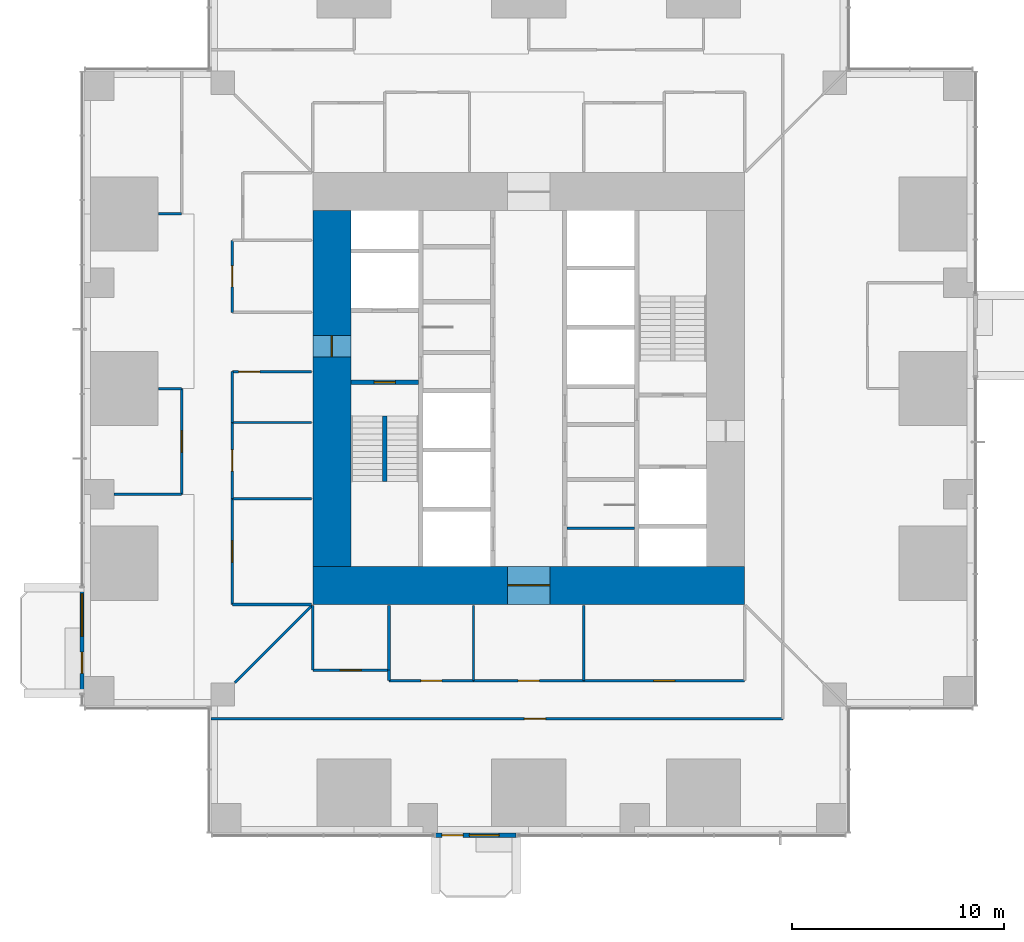
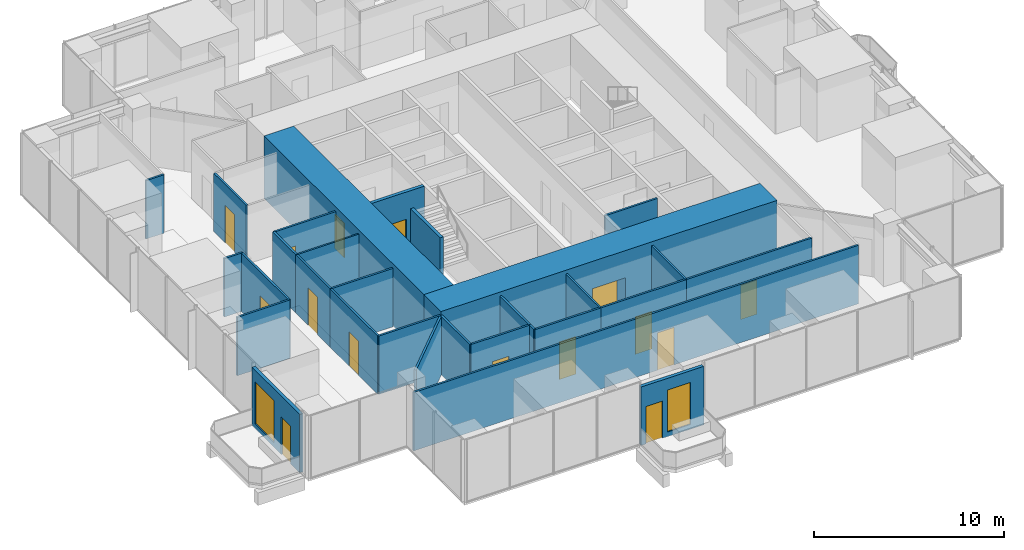
# One storey, part 11 of 17: 30 walls, 15 doors, 2 windows, 17 openings.
"""IFC4 building model written with IfcOpenShell, lengths in metres."""

from ifc_helpers import new_model, si_unit, direction, frame, frame_2d, origin, place, context, subcontext, project, spatial, rectangle, extrude, material, layer, layer_set, type_object, element, fill, save


model = new_model("IFC4")

# Units and contexts
model_context = context("Model", 3, precision=1e-05, world=origin(), true_north=direction((0.0, 1.0)))
body_context = subcontext(model_context, "Body", "Model", "MODEL_VIEW")
ifc_project = project(units=[si_unit("LENGTHUNIT", "METRE"), si_unit("AREAUNIT", "SQUARE_METRE"), si_unit("VOLUMEUNIT", "CUBIC_METRE"), si_unit("PLANEANGLEUNIT", "RADIAN"), si_unit("MASSUNIT", "GRAM", prefix="KILO")], contexts=[model_context])

# Site, building, storey
site_placement = place(None, origin())
site = spatial("IfcSite", under=ifc_project, at=site_placement, CompositionType="ELEMENT")
building_placement = place(site_placement, origin())
building = spatial("IfcBuilding", under=site, at=building_placement, Name="Svetlomir Tower", CompositionType="ELEMENT")
storey_placement = place(building_placement, frame((0.0, 0.0, 38.5)))
storey = spatial("IfcBuildingStorey", under=building, at=storey_placement, Name="L08", CompositionType="ELEMENT", Elevation=38.5)

# Wall, openings, door, window
ifc_material_1 = material(Name="Bronze anodised aluminium glazed screen", Category="aluminium")
ifc_layer_1 = layer(ifc_material_1, 0.199951171875)
ifc_layer_set_1 = layer_set([ifc_layer_1], Name="Bronze anodised aluminium glazed screen")
wall_type_1 = type_object("IfcWallType", Name="BALCONY SCREEN WALL 200", PredefinedType="USERDEFINED", material=ifc_layer_set_1)
wall_1_placement = place(storey_placement, frame((16.60009765625, -0.10009765625, 0.0), z_axis=(0.0, 0.0, 1.0), x_axis=(1.0, 0.0, 0.0)))
wall_1 = element("IfcWall", 1, at=wall_1_placement, inside=storey, type_object=wall_type_1, Name="Balcony screen S", ObjectType="GLAZED SCREEN", PredefinedType="USERDEFINED", context=body_context, shape_type="SweptSolid", body=[
    extrude(rectangle(XDim=3.7998046875, YDim=0.199951171875, at=frame_2d((1.89990234375, 0.0))), origin(), (0.0, 0.0, 1.0), 3.75),
])
opening_1_placement = place(wall_1_placement, frame((0.300048828125, 0.0, 0.0)))
opening_1 = element("IfcOpeningElement", 2, at=opening_1_placement, cuts=wall_1, Name="Opening BD", PredefinedType="OPENING", context=body_context, shape_type="SweptSolid", body=[
    extrude(rectangle(XDim=1.0, YDim=2.39990234375, at=frame_2d((0.5, 1.199951171875))), frame((0.0, 0.10986328125, 0.0), z_axis=(0.0, -1.0, 0.0), x_axis=(1.0, 0.0, 0.0)), (0.0, 0.0, 1.0), 0.219970703125),
])
opening_2_placement = place(wall_1_placement, frame((1.60009765625, 0.0, 0.300048828125)))
opening_2 = element("IfcOpeningElement", 3, at=opening_2_placement, cuts=wall_1, Name="Opening WS2", PredefinedType="OPENING", context=body_context, shape_type="SweptSolid", body=[
    extrude(rectangle(XDim=1.39990234375, YDim=2.699951171875, at=frame_2d((0.699951171875, 1.35009765625))), frame((0.0, 0.10986328125, 0.0), z_axis=(0.0, -1.0, 0.0), x_axis=(1.0, 0.0, 0.0)), (0.0, 0.0, 1.0), 0.219970703125),
])
ifc_material_2 = material(Name="Bronze anodised aluminium glazed door", Category="aluminium")
door_type_1 = type_object("IfcDoorType", Name="BALCONY DOOR BD 1000x2400", OperationType="SINGLE_SWING_LEFT", PredefinedType="DOOR", material=ifc_material_2)
door_1_placement = place(opening_1_placement, origin())
door_1 = element("IfcDoor", 4, at=door_1_placement, inside=storey, type_object=door_type_1, Name="Balcony screen S door", OperationType="SINGLE_SWING_LEFT", OverallHeight=2.39990234375, OverallWidth=1.0, PredefinedType="DOOR", context=body_context, shape_type="SweptSolid", body=[
    extrude(rectangle(XDim=1.0, YDim=2.39990234375, at=frame_2d((0.5, 1.199951171875))), frame((0.0, 0.02490234375, 0.0), z_axis=(0.0, -1.0, 0.0), x_axis=(1.0, 0.0, 0.0)), (0.0, 0.0, 1.0), 0.050048828125),
])
fill(opening_1, door_1)
ifc_material_3 = material(Name="Bronze anodised aluminium window", Category="aluminium")
window_type_1 = type_object("IfcWindowType", Name="SCREEN WINDOW WS2 1400x2700", PartitioningType="SINGLE_PANEL", PredefinedType="WINDOW", material=ifc_material_3)
window_1_placement = place(opening_2_placement, origin())
window_1 = element("IfcWindow", 5, at=window_1_placement, inside=storey, type_object=window_type_1, Name="Balcony screen S window 1", OverallHeight=2.699951171875, OverallWidth=1.39990234375, PartitioningType="SINGLE_PANEL", PredefinedType="WINDOW", context=body_context, shape_type="SweptSolid", body=[
    extrude(rectangle(XDim=1.39990234375, YDim=2.699951171875, at=frame_2d((0.699951171875, 1.35009765625))), frame((0.0, 0.030029296875, 0.0), z_axis=(0.0, -1.0, 0.0), x_axis=(1.0, 0.0, 0.0)), (0.0, 0.0, 1.0), 0.06005859375),
])
fill(opening_2, window_1)

wall_2_placement = place(storey_placement, frame((-0.10009765625, 11.60009765625, 0.0), z_axis=(0.0, 0.0, 1.0), x_axis=(0.0, -1.0, 0.0)))
wall_2 = element("IfcWall", 6, at=wall_2_placement, inside=storey, type_object=wall_type_1, Name="Balcony screen W", ObjectType="GLAZED SCREEN", PredefinedType="USERDEFINED", context=body_context, shape_type="SweptSolid", body=[
    extrude(rectangle(XDim=5.0, YDim=0.199951171875, at=frame_2d((2.5, 0.0))), origin(), (0.0, 0.0, 1.0), 3.75),
])
opening_3_placement = place(wall_2_placement, frame((3.050048828125, 0.0, 0.0)))
opening_3 = element("IfcOpeningElement", 7, at=opening_3_placement, cuts=wall_2, Name="Opening BD", PredefinedType="OPENING", context=body_context, shape_type="SweptSolid", body=[
    extrude(rectangle(XDim=1.0, YDim=2.39990234375, at=frame_2d((0.5, 1.199951171875))), frame((0.0, 0.10986328125, 0.0), z_axis=(0.0, -1.0, 0.0), x_axis=(1.0, 0.0, 0.0)), (0.0, 0.0, 1.0), 0.219970703125),
])
opening_4_placement = place(wall_2_placement, frame((0.300048828125, 0.0, 0.300048828125)))
opening_4 = element("IfcOpeningElement", 8, at=opening_4_placement, cuts=wall_2, Name="Opening WS", PredefinedType="OPENING", context=body_context, shape_type="SweptSolid", body=[
    extrude(rectangle(XDim=2.0, YDim=2.699951171875, at=frame_2d((1.0, 1.35009765625))), frame((0.0, 0.10986328125, 0.0), z_axis=(0.0, -1.0, 0.0), x_axis=(1.0, 0.0, 0.0)), (0.0, 0.0, 1.0), 0.219970703125),
])
door_2_placement = place(opening_3_placement, origin())
door_2 = element("IfcDoor", 9, at=door_2_placement, inside=storey, type_object=door_type_1, Name="Balcony screen W door", OperationType="SINGLE_SWING_LEFT", OverallHeight=2.39990234375, OverallWidth=1.0, PredefinedType="DOOR", context=body_context, shape_type="SweptSolid", body=[
    extrude(rectangle(XDim=1.0, YDim=2.39990234375, at=frame_2d((0.5, 1.199951171875))), frame((0.0, 0.02490234375, 0.0), z_axis=(0.0, -1.0, 0.0), x_axis=(1.0, 0.0, 0.0)), (0.0, 0.0, 1.0), 0.050048828125),
])
fill(opening_3, door_2)
ifc_material_4 = material(Name="Bronze anodised aluminium window", Category="aluminium")
window_type_2 = type_object("IfcWindowType", Name="SCREEN WINDOW WS 2000x2700", PartitioningType="SINGLE_PANEL", PredefinedType="WINDOW", material=ifc_material_4)
window_2_placement = place(opening_4_placement, origin())
window_2 = element("IfcWindow", 10, at=window_2_placement, inside=storey, type_object=window_type_2, Name="Balcony screen W window 1", OverallHeight=2.699951171875, OverallWidth=2.0, PartitioningType="SINGLE_PANEL", PredefinedType="WINDOW", context=body_context, shape_type="SweptSolid", body=[
    extrude(rectangle(XDim=2.0, YDim=2.699951171875, at=frame_2d((1.0, 1.35009765625))), frame((0.0, 0.030029296875, 0.0), z_axis=(0.0, -1.0, 0.0), x_axis=(1.0, 0.0, 0.0)), (0.0, 0.0, 1.0), 0.06005859375),
])
fill(opening_4, window_2)

# Wall, opening, door
ifc_material_5 = material(Name="Concrete C60/75", Category="concrete")
ifc_layer_2 = layer(ifc_material_5, 0.199951171875)
ifc_layer_set_2 = layer_set([ifc_layer_2], Name="Concrete C60/75")
wall_type_2 = type_object("IfcWallType", Name="CORE INNER WALL 200", PredefinedType="SHEAR", material=ifc_layer_set_2)
wall_3_placement = place(storey_placement, frame((12.60009765625, 21.300048828125, -0.050048828125), z_axis=(0.0, 0.0, 1.0), x_axis=(1.0, 0.0, 0.0)))
wall_3 = element("IfcWall", 11, at=wall_3_placement, inside=storey, type_object=wall_type_2, Name="Core inner wall 12.6-15.8/21.3 L08", PredefinedType="SHEAR", context=body_context, shape_type="SweptSolid", body=[
    extrude(rectangle(XDim=3.199951171875, YDim=0.199951171875, at=frame_2d((1.60009765625, 0.0))), origin(), (0.0, 0.0, 1.0), 4.0),
])
opening_5_placement = place(wall_3_placement, frame((1.10009765625, 0.0, 0.050048828125)))
opening_5 = element("IfcOpeningElement", 12, at=opening_5_placement, cuts=wall_3, Name="Opening DF", PredefinedType="OPENING", context=body_context, shape_type="SweptSolid", body=[
    extrude(rectangle(XDim=1.0, YDim=2.199951171875, at=frame_2d((0.5, 1.10009765625))), frame((0.0, 0.10986328125, 0.0), z_axis=(0.0, -1.0, 0.0), x_axis=(1.0, 0.0, 0.0)), (0.0, 0.0, 1.0), 0.219970703125),
])
ifc_material_6 = material(Name="Steel fire door", Category="steel")
door_type_2 = type_object("IfcDoorType", Name="DOOR DF 1000x2200", OperationType="SINGLE_SWING_LEFT", PredefinedType="DOOR", material=ifc_material_6)
door_3_placement = place(opening_5_placement, origin())
door_3 = element("IfcDoor", 13, at=door_3_placement, inside=storey, type_object=door_type_2, Name="Stair S1 door L08", OperationType="SINGLE_SWING_RIGHT", OverallHeight=2.199951171875, OverallWidth=1.0, PredefinedType="DOOR", context=body_context, shape_type="SweptSolid", body=[
    extrude(rectangle(XDim=1.0, YDim=2.199951171875, at=frame_2d((0.5, 1.10009765625))), frame((0.0, 0.02490234375, 0.0), z_axis=(0.0, -1.0, 0.0), x_axis=(1.0, 0.0, 0.0)), (0.0, 0.0, 1.0), 0.050048828125),
])
fill(opening_5, door_3)

ifc_material_7 = material(Name="Concrete C60/75", Category="concrete")
ifc_layer_3 = layer(ifc_material_7, 1.800048828125)
ifc_layer_set_3 = layer_set([ifc_layer_3], Name="Concrete C60/75")
wall_type_3 = type_object("IfcWallType", Name="CORE WALL 1800", PredefinedType="SHEAR", material=ifc_layer_set_3)
wall_4_placement = place(storey_placement, frame((10.800048828125, 11.699951171875, -0.050048828125), z_axis=(0.0, 0.0, 1.0), x_axis=(1.0, 0.0, 0.0)))
wall_4 = element("IfcWall", 14, at=wall_4_placement, inside=storey, type_object=wall_type_3, Name="Core wall south L08", PredefinedType="SHEAR", context=body_context, shape_type="SweptSolid", body=[
    extrude(rectangle(XDim=20.39990234375, YDim=1.800048828125, at=frame_2d((10.199951171875, 0.0))), origin(), (0.0, 0.0, 1.0), 4.0),
])
opening_6_placement = place(wall_4_placement, frame((9.199951171875, 0.0, 0.050048828125)))
opening_6 = element("IfcOpeningElement", 15, at=opening_6_placement, cuts=wall_4, Name="Opening DL", PredefinedType="OPENING", context=body_context, shape_type="SweptSolid", body=[
    extrude(rectangle(XDim=2.0, YDim=2.199951171875, at=frame_2d((1.0, 1.10009765625))), frame((0.0, 0.91015625, 0.0), z_axis=(0.0, -1.0, 0.0), x_axis=(1.0, 0.0, 0.0)), (0.0, 0.0, 1.0), 1.820068359375),
])
ifc_material_8 = material(Name="Steel fire door", Category="steel")
door_type_3 = type_object("IfcDoorType", Name="DOOR DL 2000x2200", OperationType="DOUBLE_DOOR_SINGLE_SWING", PredefinedType="DOOR", material=ifc_material_8)
door_4_placement = place(opening_6_placement, origin())
door_4 = element("IfcDoor", 16, at=door_4_placement, inside=storey, type_object=door_type_3, Name="Lift lobby south door L08", OperationType="DOUBLE_DOOR_SINGLE_SWING", OverallHeight=2.199951171875, OverallWidth=2.0, PredefinedType="DOOR", context=body_context, shape_type="SweptSolid", body=[
    extrude(rectangle(XDim=2.0, YDim=2.199951171875, at=frame_2d((1.0, 1.10009765625))), frame((0.0, 0.02490234375, 0.0), z_axis=(0.0, -1.0, 0.0), x_axis=(1.0, 0.0, 0.0)), (0.0, 0.0, 1.0), 0.050048828125),
])
fill(opening_6, door_4)

wall_5_placement = place(storey_placement, frame((11.699951171875, 12.60009765625, -0.050048828125), z_axis=(0.0, 0.0, 1.0), x_axis=(0.0, 1.0, 0.0)))
wall_5 = element("IfcWall", 17, at=wall_5_placement, inside=storey, type_object=wall_type_3, Name="Core wall west L08", PredefinedType="SHEAR", context=body_context, shape_type="SweptSolid", body=[
    extrude(rectangle(XDim=16.7998046875, YDim=1.800048828125, at=frame_2d((8.39990234375, 0.0))), origin(), (0.0, 0.0, 1.0), 4.0),
])
opening_7_placement = place(wall_5_placement, frame((9.89990234375, 0.0, 0.050048828125)))
opening_7 = element("IfcOpeningElement", 18, at=opening_7_placement, cuts=wall_5, Name="Opening DF", PredefinedType="OPENING", context=body_context, shape_type="SweptSolid", body=[
    extrude(rectangle(XDim=1.0, YDim=2.199951171875, at=frame_2d((0.5, 1.10009765625))), frame((0.0, 0.91015625, 0.0), z_axis=(0.0, -1.0, 0.0), x_axis=(1.0, 0.0, 0.0)), (0.0, 0.0, 1.0), 1.820068359375),
])
door_5_placement = place(opening_7_placement, origin())
door_5 = element("IfcDoor", 19, at=door_5_placement, inside=storey, type_object=door_type_2, Name="Firefighting lobby west door L08", OperationType="SINGLE_SWING_RIGHT", OverallHeight=2.199951171875, OverallWidth=1.0, PredefinedType="DOOR", context=body_context, shape_type="SweptSolid", body=[
    extrude(rectangle(XDim=1.0, YDim=2.199951171875, at=frame_2d((0.5, 1.10009765625))), frame((0.0, 0.02490234375, 0.0), z_axis=(0.0, -1.0, 0.0), x_axis=(1.0, 0.0, 0.0)), (0.0, 0.0, 1.0), 0.050048828125),
])
fill(opening_7, door_5)

# Walls
ifc_material_9 = material(Name="Framed laminated glass partition", Category="glass")
ifc_layer_4 = layer(ifc_material_9, 0.10009765625)
ifc_layer_set_4 = layer_set([ifc_layer_4], Name="Framed laminated glass partition")
wall_type_4 = type_object("IfcWallType", Name="GLAZED PARTITION 100", PredefinedType="PARTITIONING", material=ifc_layer_set_4)
wall_6_placement = place(storey_placement, frame((7.0, 19.39990234375, 0.0), z_axis=(0.0, 0.0, 1.0), x_axis=(1.0, 0.0, 0.0)))
element("IfcWall", 20, at=wall_6_placement, inside=storey, type_object=wall_type_4, Name="Glazed partition L08", PredefinedType="PARTITIONING", context=body_context, shape_type="SweptSolid", body=[
    extrude(rectangle(XDim=3.75, YDim=0.10009765625, at=frame_2d((1.875, 0.0))), origin(), (0.0, 0.0, 1.0), 3.75),
])
wall_7_placement = place(storey_placement, frame((18.39990234375, 7.199951171875, 0.0), z_axis=(0.0, 0.0, 1.0), x_axis=(0.0, 1.0, 0.0)))
element("IfcWall", 21, at=wall_7_placement, inside=storey, type_object=wall_type_4, Name="Glazed partition L08", PredefinedType="PARTITIONING", context=body_context, shape_type="SweptSolid", body=[
    extrude(rectangle(XDim=3.550048828125, YDim=0.10009765625, at=frame_2d((1.77490234375, 0.0))), origin(), (0.0, 0.0, 1.0), 3.75),
])
ifc_material_10 = material(Name="Gypsum board on steel studs", Category="steel")
ifc_layer_5 = layer(ifc_material_10, 0.1201171875)
ifc_layer_set_5 = layer_set([ifc_layer_5], Name="Gypsum board on steel studs")
wall_type_5 = type_object("IfcWallType", Name="PARTITION 120", PredefinedType="PARTITIONING", material=ifc_layer_set_5)
wall_8_placement = place(storey_placement, frame((22.800048828125, 14.39990234375, 0.0), z_axis=(0.0, 0.0, 1.0), x_axis=(1.0, 0.0, 0.0)))
element("IfcWall", 22, at=wall_8_placement, inside=storey, type_object=wall_type_5, Name="Floor store partition L08", PredefinedType="PARTITIONING", context=body_context, shape_type="SweptSolid", body=[
    extrude(rectangle(XDim=3.199951171875, YDim=0.1201171875, at=frame_2d((1.60009765625, 0.0))), origin(), (0.0, 0.0, 1.0), 3.75),
])
wall_9_placement = place(storey_placement, frame((1.409912109375, 16.0, 0.0), z_axis=(0.0, 0.0, 1.0), x_axis=(1.0, 0.0, 0.0)))
element("IfcWall", 23, at=wall_9_placement, inside=storey, type_object=wall_type_5, Name="Partition L08", PredefinedType="PARTITIONING", context=body_context, shape_type="SweptSolid", body=[
    extrude(rectangle(XDim=3.190185546875, YDim=0.1201171875, at=frame_2d((1.59521484375, 0.0))), origin(), (0.0, 0.0, 1.0), 3.75),
])
for number, where, z_axis, x_axis, name in (
    (24, (3.510009765625, 21.0, 0.0), (0.0, 0.0, 1.0), (1.0, 0.0, 0.0), "Partition L08"),
    (25, (3.510009765625, 29.25, 0.0), (0.0, 0.0, 1.0), (1.0, 0.0, 0.0), "Partition L08"),
):
    element("IfcWall", number, at=place(storey_placement, frame(where, z_axis=z_axis, x_axis=x_axis)), inside=storey, type_object=wall_type_5, Name=name, PredefinedType="PARTITIONING", context=body_context, shape_type="SweptSolid", body=[
        extrude(rectangle(XDim=1.090087890625, YDim=0.1201171875, at=frame_2d((0.544921875, 0.0))), origin(), (0.0, 0.0, 1.0), 3.75),
    ])

# Wall, opening, door
wall_10_placement = place(storey_placement, frame((4.60009765625, 16.0, 0.0), z_axis=(0.0, 0.0, 1.0), x_axis=(0.0, 1.0, 0.0)))
wall_10 = element("IfcWall", 26, at=wall_10_placement, inside=storey, type_object=wall_type_5, Name="Partition L08", PredefinedType="PARTITIONING", context=body_context, shape_type="SweptSolid", body=[
    extrude(rectangle(XDim=5.0, YDim=0.1201171875, at=frame_2d((2.5, 0.0))), origin(), (0.0, 0.0, 1.0), 3.75),
])
opening_8_placement = place(wall_10_placement, frame((2.0, 0.0, 0.0)))
opening_8 = element("IfcOpeningElement", 27, at=opening_8_placement, cuts=wall_10, Name="Opening DR", PredefinedType="OPENING", context=body_context, shape_type="SweptSolid", body=[
    extrude(rectangle(XDim=1.0, YDim=2.199951171875, at=frame_2d((0.5, 1.10009765625))), frame((0.0, 0.070068359375, 0.0), z_axis=(0.0, -1.0, 0.0), x_axis=(1.0, 0.0, 0.0)), (0.0, 0.0, 1.0), 0.14013671875),
])
ifc_material_11 = material(Name="Timber door, glazed side light", Category="wood")
door_type_4 = type_object("IfcDoorType", Name="DOOR DR 1000x2200", OperationType="SINGLE_SWING_LEFT", PredefinedType="DOOR", material=ifc_material_11)
door_6_placement = place(opening_8_placement, origin())
door_6 = element("IfcDoor", 28, at=door_6_placement, inside=storey, type_object=door_type_4, Name="Market data and print room door L08", OperationType="SINGLE_SWING_RIGHT", OverallHeight=2.199951171875, OverallWidth=1.0, PredefinedType="DOOR", context=body_context, shape_type="SweptSolid", body=[
    extrude(rectangle(XDim=1.0, YDim=2.199951171875, at=frame_2d((0.5, 1.10009765625))), frame((0.0, 0.02490234375, 0.0), z_axis=(0.0, -1.0, 0.0), x_axis=(1.0, 0.0, 0.0)), (0.0, 0.0, 1.0), 0.050048828125),
])
fill(opening_8, door_6)

wall_11_placement = place(storey_placement, frame((6.0, 5.39990234375, 0.0), z_axis=(0.0, 0.0, 1.0), x_axis=(1.0, 0.0, 0.0)))
wall_11 = element("IfcWall", 29, at=wall_11_placement, inside=storey, type_object=wall_type_5, Name="Partition L08", PredefinedType="PARTITIONING", context=body_context, shape_type="SweptSolid", body=[
    extrude(rectangle(XDim=27.0, YDim=0.1201171875, at=frame_2d((13.5, 0.0))), origin(), (0.0, 0.0, 1.0), 3.75),
])
opening_9_placement = place(wall_11_placement, frame((14.800048828125, 0.0, 0.0)))
opening_9 = element("IfcOpeningElement", 30, at=opening_9_placement, cuts=wall_11, Name="Opening DG", PredefinedType="OPENING", context=body_context, shape_type="SweptSolid", body=[
    extrude(rectangle(XDim=1.0, YDim=2.39990234375, at=frame_2d((0.5, 1.199951171875))), frame((0.0, 0.070068359375, 0.0), z_axis=(0.0, -1.0, 0.0), x_axis=(1.0, 0.0, 0.0)), (0.0, 0.0, 1.0), 0.14013671875),
])
ifc_material_12 = material(Name="Framed laminated glass door", Category="glass")
door_type_5 = type_object("IfcDoorType", Name="GLAZED DOOR DG 1000x2400", OperationType="SINGLE_SWING_LEFT", PredefinedType="DOOR", material=ifc_material_12)
door_7_placement = place(opening_9_placement, origin())
door_7 = element("IfcDoor", 31, at=door_7_placement, inside=storey, type_object=door_type_5, Name="Ring corridor 1 door 1 L08", OperationType="SINGLE_SWING_LEFT", OverallHeight=2.39990234375, OverallWidth=1.0, PredefinedType="DOOR", context=body_context, shape_type="SweptSolid", body=[
    extrude(rectangle(XDim=1.0, YDim=2.39990234375, at=frame_2d((0.5, 1.199951171875))), frame((0.0, 0.02490234375, 0.0), z_axis=(0.0, -1.0, 0.0), x_axis=(1.0, 0.0, 0.0)), (0.0, 0.0, 1.0), 0.050048828125),
])
fill(opening_9, door_7)

wall_12_placement = place(storey_placement, frame((7.0, 10.800048828125, 0.0), z_axis=(0.0, 0.0, 1.0), x_axis=(0.0, 1.0, 0.0)))
wall_12 = element("IfcWall", 32, at=wall_12_placement, inside=storey, type_object=wall_type_5, Name="Partition L08", PredefinedType="PARTITIONING", context=body_context, shape_type="SweptSolid", body=[
    extrude(rectangle(XDim=5.0, YDim=0.1201171875, at=frame_2d((2.5, 0.0))), origin(), (0.0, 0.0, 1.0), 3.75),
])
opening_10_placement = place(wall_12_placement, frame((2.0, 0.0, 0.0)))
opening_10 = element("IfcOpeningElement", 33, at=opening_10_placement, cuts=wall_12, Name="Opening DR", PredefinedType="OPENING", context=body_context, shape_type="SweptSolid", body=[
    extrude(rectangle(XDim=1.0, YDim=2.199951171875, at=frame_2d((0.5, 1.10009765625))), frame((0.0, 0.070068359375, 0.0), z_axis=(0.0, -1.0, 0.0), x_axis=(1.0, 0.0, 0.0)), (0.0, 0.0, 1.0), 0.14013671875),
])
door_8_placement = place(opening_10_placement, origin())
door_8 = element("IfcDoor", 34, at=door_8_placement, inside=storey, type_object=door_type_4, Name="Settlements office door L08", OperationType="SINGLE_SWING_LEFT", OverallHeight=2.199951171875, OverallWidth=1.0, PredefinedType="DOOR", context=body_context, shape_type="SweptSolid", body=[
    extrude(rectangle(XDim=1.0, YDim=2.199951171875, at=frame_2d((0.5, 1.10009765625))), frame((0.0, 0.02490234375, 0.0), z_axis=(0.0, -1.0, 0.0), x_axis=(1.0, 0.0, 0.0)), (0.0, 0.0, 1.0), 0.050048828125),
])
fill(opening_10, door_8)

# Wall
wall_13_placement = place(storey_placement, frame((7.0, 10.800048828125, 0.0), z_axis=(0.0, 0.0, 1.0), x_axis=(1.0, 0.0, 0.0)))
element("IfcWall", 35, at=wall_13_placement, inside=storey, type_object=wall_type_5, Name="Partition L08", PredefinedType="PARTITIONING", context=body_context, shape_type="SweptSolid", body=[
    extrude(rectangle(XDim=3.75, YDim=0.1201171875, at=frame_2d((1.875, 0.0))), origin(), (0.0, 0.0, 1.0), 3.75),
])

# Wall, opening, door
wall_14_placement = place(storey_placement, frame((7.0, 15.800048828125, 0.0), z_axis=(0.0, 0.0, 1.0), x_axis=(0.0, 1.0, 0.0)))
wall_14 = element("IfcWall", 36, at=wall_14_placement, inside=storey, type_object=wall_type_5, Name="Partition L08", PredefinedType="PARTITIONING", context=body_context, shape_type="SweptSolid", body=[
    extrude(rectangle(XDim=3.599853515625, YDim=0.1201171875, at=frame_2d((1.7998046875, 0.0))), origin(), (0.0, 0.0, 1.0), 3.75),
])
opening_11_placement = place(wall_14_placement, frame((1.300048828125, 0.0, 0.0)))
opening_11 = element("IfcOpeningElement", 37, at=opening_11_placement, cuts=wall_14, Name="Opening DG", PredefinedType="OPENING", context=body_context, shape_type="SweptSolid", body=[
    extrude(rectangle(XDim=1.0, YDim=2.39990234375, at=frame_2d((0.5, 1.199951171875))), frame((0.0, 0.070068359375, 0.0), z_axis=(0.0, -1.0, 0.0), x_axis=(1.0, 0.0, 0.0)), (0.0, 0.0, 1.0), 0.14013671875),
])
door_9_placement = place(opening_11_placement, origin())
door_9 = element("IfcDoor", 38, at=door_9_placement, inside=storey, type_object=door_type_5, Name="Meeting room, 4 seats door L08", OperationType="SINGLE_SWING_RIGHT", OverallHeight=2.39990234375, OverallWidth=1.0, PredefinedType="DOOR", context=body_context, shape_type="SweptSolid", body=[
    extrude(rectangle(XDim=1.0, YDim=2.39990234375, at=frame_2d((0.5, 1.199951171875))), frame((0.0, 0.02490234375, 0.0), z_axis=(0.0, -1.0, 0.0), x_axis=(1.0, 0.0, 0.0)), (0.0, 0.0, 1.0), 0.050048828125),
])
fill(opening_11, door_9)

# Walls
wall_15_placement = place(storey_placement, frame((7.0, 15.800048828125, 0.0), z_axis=(0.0, 0.0, 1.0), x_axis=(1.0, 0.0, 0.0)))
element("IfcWall", 39, at=wall_15_placement, inside=storey, type_object=wall_type_5, Name="Partition L08", PredefinedType="PARTITIONING", context=body_context, shape_type="SweptSolid", body=[
    extrude(rectangle(XDim=3.75, YDim=0.1201171875, at=frame_2d((1.875, 0.0))), origin(), (0.0, 0.0, 1.0), 3.75),
])
wall_16_placement = place(storey_placement, frame((7.0, 19.39990234375, 0.0), z_axis=(0.0, 0.0, 1.0), x_axis=(0.0, 1.0, 0.0)))
element("IfcWall", 40, at=wall_16_placement, inside=storey, type_object=wall_type_5, Name="Partition L08", PredefinedType="PARTITIONING", context=body_context, shape_type="SweptSolid", body=[
    extrude(rectangle(XDim=2.400146484375, YDim=0.1201171875, at=frame_2d((1.2001953125, 0.0))), origin(), (0.0, 0.0, 1.0), 3.75),
])

# Wall, opening, door
wall_17_placement = place(storey_placement, frame((7.0, 21.800048828125, 0.0), z_axis=(0.0, 0.0, 1.0), x_axis=(1.0, 0.0, 0.0)))
wall_17 = element("IfcWall", 41, at=wall_17_placement, inside=storey, type_object=wall_type_5, Name="Partition L08", PredefinedType="PARTITIONING", context=body_context, shape_type="SweptSolid", body=[
    extrude(rectangle(XDim=3.75, YDim=0.1201171875, at=frame_2d((1.875, 0.0))), origin(), (0.0, 0.0, 1.0), 3.75),
])
opening_12_placement = place(wall_17_placement, frame((0.300048828125, 0.0, 0.0)))
opening_12 = element("IfcOpeningElement", 42, at=opening_12_placement, cuts=wall_17, Name="Opening DG", PredefinedType="OPENING", context=body_context, shape_type="SweptSolid", body=[
    extrude(rectangle(XDim=1.0, YDim=2.39990234375, at=frame_2d((0.5, 1.199951171875))), frame((0.0, 0.070068359375, 0.0), z_axis=(0.0, -1.0, 0.0), x_axis=(1.0, 0.0, 0.0)), (0.0, 0.0, 1.0), 0.14013671875),
])
door_10_placement = place(opening_12_placement, origin())
door_10 = element("IfcDoor", 43, at=door_10_placement, inside=storey, type_object=door_type_5, Name="Ring corridor 3 door 3 L08", OperationType="SINGLE_SWING_LEFT", OverallHeight=2.39990234375, OverallWidth=1.0, PredefinedType="DOOR", context=body_context, shape_type="SweptSolid", body=[
    extrude(rectangle(XDim=1.0, YDim=2.39990234375, at=frame_2d((0.5, 1.199951171875))), frame((0.0, 0.02490234375, 0.0), z_axis=(0.0, -1.0, 0.0), x_axis=(1.0, 0.0, 0.0)), (0.0, 0.0, 1.0), 0.050048828125),
])
fill(opening_12, door_10)

wall_18_placement = place(storey_placement, frame((7.0, 24.60009765625, 0.0), z_axis=(0.0, 0.0, 1.0), x_axis=(0.0, 1.0, 0.0)))
wall_18 = element("IfcWall", 44, at=wall_18_placement, inside=storey, type_object=wall_type_5, Name="Partition L08", PredefinedType="PARTITIONING", context=body_context, shape_type="SweptSolid", body=[
    extrude(rectangle(XDim=3.39990234375, YDim=0.1201171875, at=frame_2d((1.699951171875, 0.0))), origin(), (0.0, 0.0, 1.0), 3.75),
])
opening_13_placement = place(wall_18_placement, frame((1.199951171875, 0.0, 0.0)))
opening_13 = element("IfcOpeningElement", 45, at=opening_13_placement, cuts=wall_18, Name="Opening DG", PredefinedType="OPENING", context=body_context, shape_type="SweptSolid", body=[
    extrude(rectangle(XDim=1.0, YDim=2.39990234375, at=frame_2d((0.5, 1.199951171875))), frame((0.0, 0.070068359375, 0.0), z_axis=(0.0, -1.0, 0.0), x_axis=(1.0, 0.0, 0.0)), (0.0, 0.0, 1.0), 0.14013671875),
])
door_11_placement = place(opening_13_placement, origin())
door_11 = element("IfcDoor", 46, at=door_11_placement, inside=storey, type_object=door_type_5, Name="Phone rooms door L08", OperationType="SINGLE_SWING_LEFT", OverallHeight=2.39990234375, OverallWidth=1.0, PredefinedType="DOOR", context=body_context, shape_type="SweptSolid", body=[
    extrude(rectangle(XDim=1.0, YDim=2.39990234375, at=frame_2d((0.5, 1.199951171875))), frame((0.0, 0.02490234375, 0.0), z_axis=(0.0, -1.0, 0.0), x_axis=(1.0, 0.0, 0.0)), (0.0, 0.0, 1.0), 0.050048828125),
])
fill(opening_13, door_11)

# Walls
wall_19_placement = place(storey_placement, frame((7.110107421875, 7.110107421875, 0.0), z_axis=(0.0, 0.0, 1.0), x_axis=(0.707106781187, 0.707106781187, 0.0)))
element("IfcWall", 47, at=wall_19_placement, inside=storey, type_object=wall_type_5, Name="Partition L08", PredefinedType="PARTITIONING", context=body_context, shape_type="SweptSolid", body=[
    extrude(rectangle(XDim=5.168212890625, YDim=0.1201171875, at=frame_2d((2.583984375, 0.0))), origin(), (0.0, 0.0, 1.0), 3.75),
])
wall_20_placement = place(storey_placement, frame((10.800048828125, 7.699951171875, 0.0), z_axis=(0.0, 0.0, 1.0), x_axis=(0.0, 1.0, 0.0)))
element("IfcWall", 48, at=wall_20_placement, inside=storey, type_object=wall_type_5, Name="Partition L08", PredefinedType="PARTITIONING", context=body_context, shape_type="SweptSolid", body=[
    extrude(rectangle(XDim=3.050048828125, YDim=0.1201171875, at=frame_2d((1.52490234375, 0.0))), origin(), (0.0, 0.0, 1.0), 3.75),
])

# Wall, opening, door
wall_21_placement = place(storey_placement, frame((10.800048828125, 7.699951171875, 0.0), z_axis=(0.0, 0.0, 1.0), x_axis=(1.0, 0.0, 0.0)))
wall_21 = element("IfcWall", 49, at=wall_21_placement, inside=storey, type_object=wall_type_5, Name="Partition L08", PredefinedType="PARTITIONING", context=body_context, shape_type="SweptSolid", body=[
    extrude(rectangle(XDim=3.599853515625, YDim=0.1201171875, at=frame_2d((1.7998046875, 0.0))), origin(), (0.0, 0.0, 1.0), 3.75),
])
opening_14_placement = place(wall_21_placement, frame((1.300048828125, 0.0, 0.0)))
opening_14 = element("IfcOpeningElement", 50, at=opening_14_placement, cuts=wall_21, Name="Opening DR", PredefinedType="OPENING", context=body_context, shape_type="SweptSolid", body=[
    extrude(rectangle(XDim=1.0, YDim=2.199951171875, at=frame_2d((0.5, 1.10009765625))), frame((0.0, 0.070068359375, 0.0), z_axis=(0.0, -1.0, 0.0), x_axis=(1.0, 0.0, 0.0)), (0.0, 0.0, 1.0), 0.14013671875),
])
door_12_placement = place(opening_14_placement, origin())
door_12 = element("IfcDoor", 51, at=door_12_placement, inside=storey, type_object=door_type_4, Name="Market data server room door L08", OperationType="SINGLE_SWING_LEFT", OverallHeight=2.199951171875, OverallWidth=1.0, PredefinedType="DOOR", context=body_context, shape_type="SweptSolid", body=[
    extrude(rectangle(XDim=1.0, YDim=2.199951171875, at=frame_2d((0.5, 1.10009765625))), frame((0.0, 0.02490234375, 0.0), z_axis=(0.0, -1.0, 0.0), x_axis=(1.0, 0.0, 0.0)), (0.0, 0.0, 1.0), 0.050048828125),
])
fill(opening_14, door_12)

# Wall
wall_22_placement = place(storey_placement, frame((14.39990234375, 7.199951171875, 0.0), z_axis=(0.0, 0.0, 1.0), x_axis=(0.0, 1.0, 0.0)))
element("IfcWall", 52, at=wall_22_placement, inside=storey, type_object=wall_type_5, Name="Partition L08", PredefinedType="PARTITIONING", context=body_context, shape_type="SweptSolid", body=[
    extrude(rectangle(XDim=0.5, YDim=0.1201171875, at=frame_2d((0.25, 0.0))), origin(), (0.0, 0.0, 1.0), 3.75),
])

# Wall, opening, door
wall_23_placement = place(storey_placement, frame((14.39990234375, 7.199951171875, 0.0), z_axis=(0.0, 0.0, 1.0), x_axis=(1.0, 0.0, 0.0)))
wall_23 = element("IfcWall", 53, at=wall_23_placement, inside=storey, type_object=wall_type_5, Name="Partition L08", PredefinedType="PARTITIONING", context=body_context, shape_type="SweptSolid", body=[
    extrude(rectangle(XDim=4.0, YDim=0.1201171875, at=frame_2d((2.0, 0.0))), origin(), (0.0, 0.0, 1.0), 3.75),
])
opening_15_placement = place(wall_23_placement, frame((1.5, 0.0, 0.0)))
opening_15 = element("IfcOpeningElement", 54, at=opening_15_placement, cuts=wall_23, Name="Opening DG", PredefinedType="OPENING", context=body_context, shape_type="SweptSolid", body=[
    extrude(rectangle(XDim=1.0, YDim=2.39990234375, at=frame_2d((0.5, 1.199951171875))), frame((0.0, 0.070068359375, 0.0), z_axis=(0.0, -1.0, 0.0), x_axis=(1.0, 0.0, 0.0)), (0.0, 0.0, 1.0), 0.14013671875),
])
door_13_placement = place(opening_15_placement, origin())
door_13 = element("IfcDoor", 55, at=door_13_placement, inside=storey, type_object=door_type_5, Name="Quiet room door L08", OperationType="SINGLE_SWING_RIGHT", OverallHeight=2.39990234375, OverallWidth=1.0, PredefinedType="DOOR", context=body_context, shape_type="SweptSolid", body=[
    extrude(rectangle(XDim=1.0, YDim=2.39990234375, at=frame_2d((0.5, 1.199951171875))), frame((0.0, 0.02490234375, 0.0), z_axis=(0.0, -1.0, 0.0), x_axis=(1.0, 0.0, 0.0)), (0.0, 0.0, 1.0), 0.050048828125),
])
fill(opening_15, door_13)

# Wall
wall_24_placement = place(storey_placement, frame((14.39990234375, 7.699951171875, 0.0), z_axis=(0.0, 0.0, 1.0), x_axis=(0.0, 1.0, 0.0)))
element("IfcWall", 56, at=wall_24_placement, inside=storey, type_object=wall_type_5, Name="Partition L08", PredefinedType="PARTITIONING", context=body_context, shape_type="SweptSolid", body=[
    extrude(rectangle(XDim=3.050048828125, YDim=0.1201171875, at=frame_2d((1.52490234375, 0.0))), origin(), (0.0, 0.0, 1.0), 3.75),
])

# Wall, opening, door
wall_25_placement = place(storey_placement, frame((18.39990234375, 7.199951171875, 0.0), z_axis=(0.0, 0.0, 1.0), x_axis=(1.0, 0.0, 0.0)))
wall_25 = element("IfcWall", 57, at=wall_25_placement, inside=storey, type_object=wall_type_5, Name="Partition L08", PredefinedType="PARTITIONING", context=body_context, shape_type="SweptSolid", body=[
    extrude(rectangle(XDim=5.2001953125, YDim=0.1201171875, at=frame_2d((2.60009765625, 0.0))), origin(), (0.0, 0.0, 1.0), 3.75),
])
opening_16_placement = place(wall_25_placement, frame((2.10009765625, 0.0, 0.0)))
opening_16 = element("IfcOpeningElement", 58, at=opening_16_placement, cuts=wall_25, Name="Opening DG", PredefinedType="OPENING", context=body_context, shape_type="SweptSolid", body=[
    extrude(rectangle(XDim=1.0, YDim=2.39990234375, at=frame_2d((0.5, 1.199951171875))), frame((0.0, 0.070068359375, 0.0), z_axis=(0.0, -1.0, 0.0), x_axis=(1.0, 0.0, 0.0)), (0.0, 0.0, 1.0), 0.14013671875),
])
door_14_placement = place(opening_16_placement, origin())
door_14 = element("IfcDoor", 59, at=door_14_placement, inside=storey, type_object=door_type_5, Name="Ring corridor 1 door 2 L08", OperationType="SINGLE_SWING_RIGHT", OverallHeight=2.39990234375, OverallWidth=1.0, PredefinedType="DOOR", context=body_context, shape_type="SweptSolid", body=[
    extrude(rectangle(XDim=1.0, YDim=2.39990234375, at=frame_2d((0.5, 1.199951171875))), frame((0.0, 0.02490234375, 0.0), z_axis=(0.0, -1.0, 0.0), x_axis=(1.0, 0.0, 0.0)), (0.0, 0.0, 1.0), 0.050048828125),
])
fill(opening_16, door_14)

# Wall
wall_26_placement = place(storey_placement, frame((23.60009765625, 7.199951171875, 0.0), z_axis=(0.0, 0.0, 1.0), x_axis=(0.0, 1.0, 0.0)))
element("IfcWall", 60, at=wall_26_placement, inside=storey, type_object=wall_type_5, Name="Partition L08", PredefinedType="PARTITIONING", context=body_context, shape_type="SweptSolid", body=[
    extrude(rectangle(XDim=3.550048828125, YDim=0.1201171875, at=frame_2d((1.77490234375, 0.0))), origin(), (0.0, 0.0, 1.0), 3.75),
])

# Wall, opening, door
wall_27_placement = place(storey_placement, frame((23.60009765625, 7.199951171875, 0.0), z_axis=(0.0, 0.0, 1.0), x_axis=(1.0, 0.0, 0.0)))
wall_27 = element("IfcWall", 61, at=wall_27_placement, inside=storey, type_object=wall_type_5, Name="Partition L08", PredefinedType="PARTITIONING", context=body_context, shape_type="SweptSolid", body=[
    extrude(rectangle(XDim=7.599853515625, YDim=0.1201171875, at=frame_2d((3.7998046875, 0.0))), origin(), (0.0, 0.0, 1.0), 3.75),
])
opening_17_placement = place(wall_27_placement, frame((3.300048828125, 0.0, 0.0)))
opening_17 = element("IfcOpeningElement", 62, at=opening_17_placement, cuts=wall_27, Name="Opening DR", PredefinedType="OPENING", context=body_context, shape_type="SweptSolid", body=[
    extrude(rectangle(XDim=1.0, YDim=2.199951171875, at=frame_2d((0.5, 1.10009765625))), frame((0.0, 0.070068359375, 0.0), z_axis=(0.0, -1.0, 0.0), x_axis=(1.0, 0.0, 0.0)), (0.0, 0.0, 1.0), 0.14013671875),
])
door_15_placement = place(opening_17_placement, origin())
door_15 = element("IfcDoor", 63, at=door_15_placement, inside=storey, type_object=door_type_4, Name="Treasury risk desk room door L08", OperationType="SINGLE_SWING_LEFT", OverallHeight=2.199951171875, OverallWidth=1.0, PredefinedType="DOOR", context=body_context, shape_type="SweptSolid", body=[
    extrude(rectangle(XDim=1.0, YDim=2.199951171875, at=frame_2d((0.5, 1.10009765625))), frame((0.0, 0.02490234375, 0.0), z_axis=(0.0, -1.0, 0.0), x_axis=(1.0, 0.0, 0.0)), (0.0, 0.0, 1.0), 0.050048828125),
])
fill(opening_17, door_15)

# Wall
ifc_material_13 = material(Name="Concrete C60/75", Category="concrete")
ifc_layer_6 = layer(ifc_material_13, 0.199951171875)
ifc_layer_set_6 = layer_set([ifc_layer_6], Name="Concrete C60/75")
wall_type_6 = type_object("IfcWallType", Name="STAIR SPINE WALL 200", PredefinedType="PARTITIONING", material=ifc_layer_set_6)
wall_28_placement = place(storey_placement, frame((14.199951171875, 16.6201171875, 0.0), z_axis=(0.0, 0.0, 1.0), x_axis=(0.0, 1.0, 0.0)))
element("IfcWall", 64, at=wall_28_placement, inside=storey, type_object=wall_type_6, Name="Stair S1 spine wall L08", PredefinedType="PARTITIONING", context=body_context, shape_type="SweptSolid", body=[
    extrude(rectangle(XDim=3.079833984375, YDim=0.199951171875, at=frame_2d((1.5400390625, 0.0))), origin(), (0.0, 0.0, 1.0), 4.0),
])

save(model, "model.ifc")
